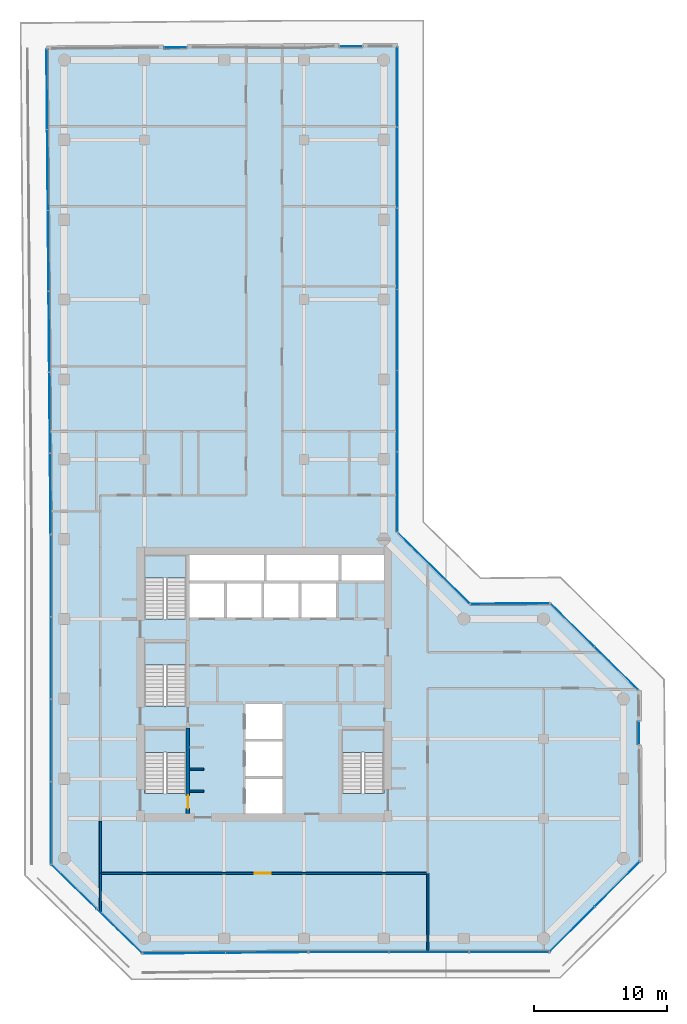
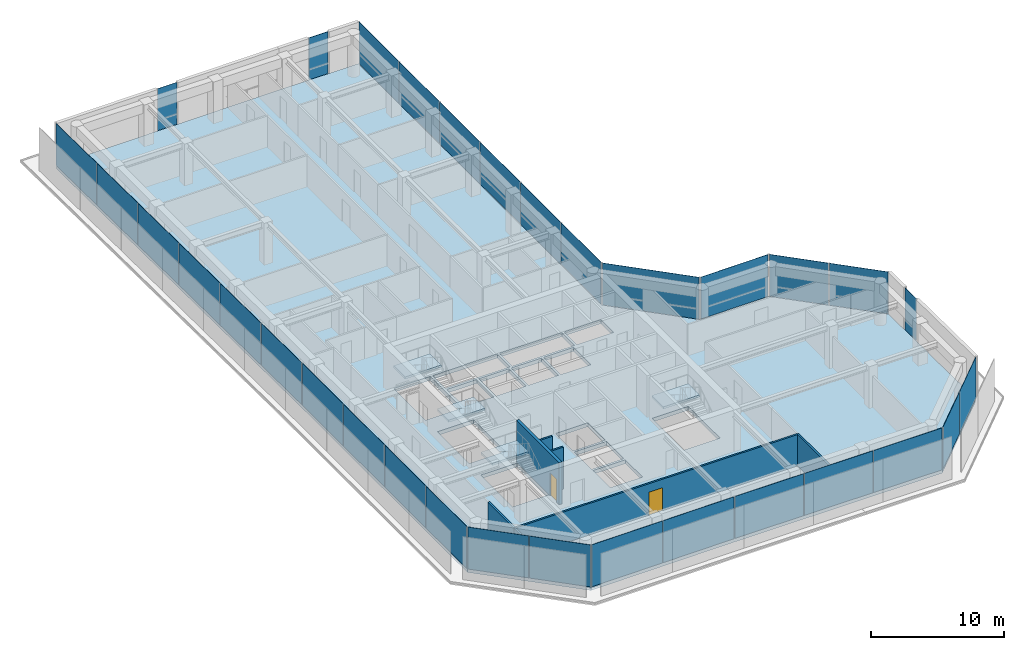
# One storey, part 14 of 19: 32 plates, 7 walls, 5 slabs, 2 doors, 2 openings, 17 elements without a shape of their own.
"""IFC4 building model written with IfcOpenShell, lengths in metres."""

from ifc_helpers import new_model, si_unit, direction, frame, frame_2d, origin, origin_2d, place, context, subcontext, project, spatial, polyline, rectangle, outline, extrude, material, layer, layer_set, type_object, element, fill, aggregate, save


model = new_model("IFC4")

# Units and contexts
model_context = context("Model", 3, precision=1e-05, world=origin(), true_north=direction((0.0, 1.0)))
body_context = subcontext(model_context, "Body", "Model", "MODEL_VIEW")
ifc_project = project(units=[si_unit("LENGTHUNIT", "METRE"), si_unit("AREAUNIT", "SQUARE_METRE"), si_unit("VOLUMEUNIT", "CUBIC_METRE"), si_unit("PLANEANGLEUNIT", "RADIAN"), si_unit("MASSUNIT", "GRAM", prefix="KILO")], contexts=[model_context])

# Site, building, storey
site_placement = place(None, origin())
site = spatial("IfcSite", under=ifc_project, at=site_placement, CompositionType="ELEMENT")
building_placement = place(site_placement, origin())
building = spatial("IfcBuilding", under=site, at=building_placement, Name="Welwitschia Terrace Campus", CompositionType="ELEMENT")
storey_placement = place(building_placement, frame((0.0, 0.0, 171.800048828125)))
storey = spatial("IfcBuildingStorey", under=building, at=storey_placement, Name="L38", CompositionType="ELEMENT", Elevation=171.800048828125)

# Curtain wall, plates
ifc_material_1 = material(Name="Bronze anodised aluminium", Category="aluminium")
ifc_layer_1 = layer(ifc_material_1, 0.1201171875)
ifc_layer_set_1 = layer_set([ifc_layer_1], Name="Bronze anodised aluminium")
curtain_wall_type = type_object("IfcCurtainWallType", Name="Curtain wall CW2 tower 6000", PredefinedType="NOTDEFINED", material=ifc_layer_set_1)
curtain_wall_1_placement = place(storey_placement, origin())
curtain_wall_1 = element("IfcCurtainWall", 1, at=curtain_wall_1_placement, inside=storey, type_object=curtain_wall_type, Name="CW L38.0.0", PredefinedType="NOTDEFINED")
ifc_material_2 = material(Name="Tinted bronze-grey glass", Category="glass")
ifc_layer_2 = layer(ifc_material_2, 0.028076171875)
ifc_layer_set_2 = layer_set([ifc_layer_2], Name="Tinted bronze-grey glass")
plate_type = type_object("IfcPlateType", Name="Glass panel 28 tinted", PredefinedType="CURTAIN_PANEL", material=ifc_layer_set_2)
plate_1_placement = place(storey_placement, frame((-1.32177734375, 59.804443359375, 0.0), z_axis=(0.0, 0.0, 1.0), x_axis=(0.008726535498, -0.999961923064, 0.0)))
plate_1 = element("IfcPlate", 2, at=plate_1_placement, type_object=plate_type, Name="Panel L38.0.0.0", PredefinedType="CURTAIN_PANEL", context=body_context, shape_type="SweptSolid", body=[
    extrude(rectangle(XDim=5.992919921875, YDim=0.028076171875, at=origin_2d()), origin(), (0.0, 0.0, 1.0), 3.85009765625),
])
plate_2_placement = place(storey_placement, frame((-1.268798828125, 53.73681640625, 0.0), z_axis=(0.0, 0.0, 1.0), x_axis=(0.008726535498, -0.999961923064, 0.0)))
plate_2 = element("IfcPlate", 3, at=plate_2_placement, type_object=plate_type, Name="Panel L38.0.0.1", PredefinedType="CURTAIN_PANEL", context=body_context, shape_type="SweptSolid", body=[
    extrude(rectangle(XDim=6.022705078125, YDim=0.028076171875, at=origin_2d()), origin(), (0.0, 0.0, 1.0), 3.85009765625),
])
plate_3_placement = place(storey_placement, frame((-1.2158203125, 47.654296875, 0.0), z_axis=(0.0, 0.0, 1.0), x_axis=(0.008726535498, -0.999961923064, 0.0)))
plate_3 = element("IfcPlate", 4, at=plate_3_placement, type_object=plate_type, Name="Panel L38.0.0.2", PredefinedType="CURTAIN_PANEL", context=body_context, shape_type="SweptSolid", body=[
    extrude(rectangle(XDim=6.022705078125, YDim=0.028076171875, at=origin_2d()), origin(), (0.0, 0.0, 1.0), 3.85009765625),
])
plate_4_placement = place(storey_placement, frame((-1.16259765625, 41.57177734375, 0.0), z_axis=(0.0, 0.0, 1.0), x_axis=(0.008726535498, -0.999961923064, 0.0)))
plate_4 = element("IfcPlate", 5, at=plate_4_placement, type_object=plate_type, Name="Panel L38.0.0.3", PredefinedType="CURTAIN_PANEL", context=body_context, shape_type="SweptSolid", body=[
    extrude(rectangle(XDim=6.022705078125, YDim=0.028076171875, at=origin_2d()), origin(), (0.0, 0.0, 1.0), 3.85009765625),
])
plate_5_placement = place(storey_placement, frame((-1.109619140625, 35.489013671875, 0.0), z_axis=(0.0, 0.0, 1.0), x_axis=(0.008726535498, -0.999961923064, 0.0)))
plate_5 = element("IfcPlate", 6, at=plate_5_placement, type_object=plate_type, Name="Panel L38.0.0.4", PredefinedType="CURTAIN_PANEL", context=body_context, shape_type="SweptSolid", body=[
    extrude(rectangle(XDim=6.022705078125, YDim=0.028076171875, at=origin_2d()), origin(), (0.0, 0.0, 1.0), 3.85009765625),
])
plate_6_placement = place(storey_placement, frame((-1.056640625, 29.421630859375, 0.0), z_axis=(0.0, 0.0, 1.0), x_axis=(0.008726535498, -0.999961923064, 0.0)))
plate_6 = element("IfcPlate", 7, at=plate_6_placement, type_object=plate_type, Name="Panel L38.0.0.5", PredefinedType="CURTAIN_PANEL", context=body_context, shape_type="SweptSolid", body=[
    extrude(rectangle(XDim=5.992919921875, YDim=0.028076171875, at=origin_2d()), origin(), (0.0, 0.0, 1.0), 3.85009765625),
])
aggregate(curtain_wall_1, [plate_1, plate_2, plate_3, plate_4, plate_5, plate_6])

curtain_wall_2_placement = place(storey_placement, origin())
curtain_wall_2 = element("IfcCurtainWall", 8, at=curtain_wall_2_placement, inside=storey, type_object=curtain_wall_type, Name="CW L38.1.0", PredefinedType="NOTDEFINED")
plate_7_placement = place(storey_placement, frame((-1.030029296875, 23.251220703125, 0.0), z_axis=(0.0, 0.0, 1.0), x_axis=(0.0, -1.0, 0.0)))
plate_7 = element("IfcPlate", 9, at=plate_7_placement, type_object=plate_type, Name="Panel L38.1.0.0", PredefinedType="CURTAIN_PANEL", context=body_context, shape_type="SweptSolid", body=[
    extrude(rectangle(XDim=6.10791015625, YDim=0.028076171875, at=origin_2d()), origin(), (0.0, 0.0, 1.0), 3.85009765625),
])
plate_8_placement = place(storey_placement, frame((-1.030029296875, 17.068115234375, 0.0), z_axis=(0.0, 0.0, 1.0), x_axis=(0.0, -1.0, 0.0)))
plate_8 = element("IfcPlate", 10, at=plate_8_placement, type_object=plate_type, Name="Panel L38.1.0.1", PredefinedType="CURTAIN_PANEL", context=body_context, shape_type="SweptSolid", body=[
    extrude(rectangle(XDim=6.137939453125, YDim=0.028076171875, at=origin_2d()), origin(), (0.0, 0.0, 1.0), 3.85009765625),
])
plate_9_placement = place(storey_placement, frame((-1.030029296875, 10.8701171875, 0.0), z_axis=(0.0, 0.0, 1.0), x_axis=(0.0, -1.0, 0.0)))
plate_9 = element("IfcPlate", 11, at=plate_9_placement, type_object=plate_type, Name="Panel L38.1.0.2", PredefinedType="CURTAIN_PANEL", context=body_context, shape_type="SweptSolid", body=[
    extrude(rectangle(XDim=6.137939453125, YDim=0.028076171875, at=origin_2d()), origin(), (0.0, 0.0, 1.0), 3.85009765625),
])
plate_10_placement = place(storey_placement, frame((-1.030029296875, 4.687255859375, 0.0), z_axis=(0.0, 0.0, 1.0), x_axis=(0.0, -1.0, 0.0)))
plate_10 = element("IfcPlate", 12, at=plate_10_placement, type_object=plate_type, Name="Panel L38.1.0.3", PredefinedType="CURTAIN_PANEL", context=body_context, shape_type="SweptSolid", body=[
    extrude(rectangle(XDim=6.10791015625, YDim=0.028076171875, at=origin_2d()), origin(), (0.0, 0.0, 1.0), 3.85009765625),
])
aggregate(curtain_wall_2, [plate_7, plate_8, plate_9, plate_10])

curtain_wall_3_placement = place(storey_placement, origin())
curtain_wall_3 = element("IfcCurtainWall", 13, at=curtain_wall_3_placement, inside=storey, type_object=curtain_wall_type, Name="CW L38.2.0", PredefinedType="NOTDEFINED")
plate_11_placement = place(storey_placement, frame((0.700439453125, -0.115478515625, 0.0), z_axis=(0.0, 0.0, 1.0), x_axis=(0.715708164963, -0.698399472083, 0.0)))
plate_11 = element("IfcPlate", 14, at=plate_11_placement, type_object=plate_type, Name="Panel L38.2.0.0", PredefinedType="CURTAIN_PANEL", context=body_context, shape_type="SweptSolid", body=[
    extrude(rectangle(XDim=4.715576171875, YDim=0.028076171875, at=origin_2d()), origin(), (0.0, 0.0, 1.0), 3.85009765625),
])
plate_12_placement = place(storey_placement, frame((4.1181640625, -3.45068359375, 0.0), z_axis=(0.0, 0.0, 1.0), x_axis=(0.715708164963, -0.698399472083, 0.0)))
plate_12 = element("IfcPlate", 15, at=plate_12_placement, type_object=plate_type, Name="Panel L38.2.0.1", PredefinedType="CURTAIN_PANEL", context=body_context, shape_type="SweptSolid", body=[
    extrude(rectangle(XDim=4.715576171875, YDim=0.028076171875, at=origin_2d()), origin(), (0.0, 0.0, 1.0), 3.85009765625),
])
aggregate(curtain_wall_3, [plate_11, plate_12])

curtain_wall_4_placement = place(storey_placement, origin())
curtain_wall_4 = element("IfcCurtainWall", 16, at=curtain_wall_4_placement, inside=storey, type_object=curtain_wall_type, Name="CW L38.3.0", PredefinedType="NOTDEFINED")
plate_13_placement = place(storey_placement, frame((8.9892578125, -5.11181640625, 0.0), z_axis=(0.0, 0.0, 1.0), x_axis=(0.999961923064, 0.008726535498, 0.0)))
plate_13 = element("IfcPlate", 17, at=plate_13_placement, type_object=plate_type, Name="Panel L38.3.0.0", PredefinedType="CURTAIN_PANEL", context=body_context, shape_type="SweptSolid", body=[
    extrude(rectangle(XDim=6.16162109375, YDim=0.028076171875, at=origin_2d()), origin(), (0.0, 0.0, 1.0), 3.85009765625),
])
plate_14_placement = place(storey_placement, frame((15.210693359375, -5.057373046875, 0.0), z_axis=(0.0, 0.0, 1.0), x_axis=(0.999961923064, 0.008726535498, 0.0)))
plate_14 = element("IfcPlate", 18, at=plate_14_placement, type_object=plate_type, Name="Panel L38.3.0.1", PredefinedType="CURTAIN_PANEL", context=body_context, shape_type="SweptSolid", body=[
    extrude(rectangle(XDim=6.16162109375, YDim=0.028076171875, at=origin_2d()), origin(), (0.0, 0.0, 1.0), 3.85009765625),
])
aggregate(curtain_wall_4, [plate_13, plate_14])

curtain_wall_5_placement = place(storey_placement, origin())
curtain_wall_5 = element("IfcCurtainWall", 19, at=curtain_wall_5_placement, inside=storey, type_object=curtain_wall_type, Name="CW L38.4.0", PredefinedType="NOTDEFINED")
plate_15_placement = place(storey_placement, frame((21.37890625, -5.030029296875, 0.0), z_axis=(0.0, 0.0, 1.0), x_axis=(1.0, 0.0, 0.0)))
plate_15 = element("IfcPlate", 20, at=plate_15_placement, type_object=plate_type, Name="Panel L38.4.0.0", PredefinedType="CURTAIN_PANEL", context=body_context, shape_type="SweptSolid", body=[
    extrude(rectangle(XDim=5.93505859375, YDim=0.028076171875, at=origin_2d()), origin(), (0.0, 0.0, 1.0), 3.85009765625),
])
plate_16_placement = place(storey_placement, frame((27.38916015625, -5.030029296875, 0.0), z_axis=(0.0, 0.0, 1.0), x_axis=(1.0, 0.0, 0.0)))
plate_16 = element("IfcPlate", 21, at=plate_16_placement, type_object=plate_type, Name="Panel L38.4.0.1", PredefinedType="CURTAIN_PANEL", context=body_context, shape_type="SweptSolid", body=[
    extrude(rectangle(XDim=5.965087890625, YDim=0.028076171875, at=origin_2d()), origin(), (0.0, 0.0, 1.0), 3.85009765625),
])
plate_17_placement = place(storey_placement, frame((33.399169921875, -5.030029296875, 0.0), z_axis=(0.0, 0.0, 1.0), x_axis=(1.0, 0.0, 0.0)))
plate_17 = element("IfcPlate", 22, at=plate_17_placement, type_object=plate_type, Name="Panel L38.4.0.2", PredefinedType="CURTAIN_PANEL", context=body_context, shape_type="SweptSolid", body=[
    extrude(rectangle(XDim=5.93505859375, YDim=0.028076171875, at=origin_2d()), origin(), (0.0, 0.0, 1.0), 3.85009765625),
])
aggregate(curtain_wall_5, [plate_15, plate_16, plate_17])

curtain_wall_6_placement = place(storey_placement, origin())
curtain_wall_6 = element("IfcCurtainWall", 23, at=curtain_wall_6_placement, inside=storey, type_object=curtain_wall_type, Name="CW L38.5.0", PredefinedType="NOTDEFINED")
plate_18_placement = place(storey_placement, frame((38.14208984375, -3.314208984375, 0.0), z_axis=(0.0, 0.0, 1.0), x_axis=(0.707043677573, 0.707169879169, 0.0)))
plate_18 = element("IfcPlate", 24, at=plate_18_placement, type_object=plate_type, Name="Panel L38.5.0.0", PredefinedType="CURTAIN_PANEL", context=body_context, shape_type="SweptSolid", body=[
    extrude(rectangle(XDim=4.732421875, YDim=0.028076171875, at=origin_2d()), origin(), (0.0, 0.0, 1.0), 3.85009765625),
])
plate_19_placement = place(storey_placement, frame((41.53076171875, 0.074951171875, 0.0), z_axis=(0.0, 0.0, 1.0), x_axis=(0.707043677573, 0.707169879169, 0.0)))
plate_19 = element("IfcPlate", 25, at=plate_19_placement, type_object=plate_type, Name="Panel L38.5.0.1", PredefinedType="CURTAIN_PANEL", context=body_context, shape_type="SweptSolid", body=[
    extrude(rectangle(XDim=4.732421875, YDim=0.028076171875, at=origin_2d()), origin(), (0.0, 0.0, 1.0), 3.85009765625),
])
aggregate(curtain_wall_6, [plate_18, plate_19])

# Curtain wall, plate
curtain_wall_7_placement = place(storey_placement, origin())
curtain_wall_7 = element("IfcCurtainWall", 26, at=curtain_wall_7_placement, inside=storey, type_object=curtain_wall_type, Name="CW L38.6.S0", PredefinedType="NOTDEFINED")
plate_20_placement = place(storey_placement, frame((43.162109375, 11.430419921875, 0.0), z_axis=(0.0, 0.0, 1.0), x_axis=(-0.008726535498, 0.999961923064, 0.0)))
plate_20 = element("IfcPlate", 27, at=plate_20_placement, type_object=plate_type, Name="Panel L38.6.S0.0", PredefinedType="CURTAIN_PANEL", context=body_context, shape_type="SweptSolid", body=[
    extrude(rectangle(XDim=1.679931640625, YDim=0.028076171875, at=origin_2d()), origin(), (0.0, 0.0, 1.0), 3.85009765625),
])
aggregate(curtain_wall_7, [plate_20])

# Curtain wall, plates
curtain_wall_8_placement = place(storey_placement, origin())
curtain_wall_8 = element("IfcCurtainWall", 28, at=curtain_wall_8_placement, inside=storey, type_object=curtain_wall_type, Name="CW L38.7.0", PredefinedType="NOTDEFINED")
plate_21_placement = place(storey_placement, frame((41.4580078125, 16.29052734375, 0.0), z_axis=(0.0, 0.0, 1.0), x_axis=(-0.713250449154, 0.7009092643, 0.0)))
plate_21 = element("IfcPlate", 29, at=plate_21_placement, type_object=plate_type, Name="Panel L38.7.0.0", PredefinedType="CURTAIN_PANEL", context=body_context, shape_type="SweptSolid", body=[
    extrude(rectangle(XDim=4.579345703125, YDim=0.028076171875, at=origin_2d()), origin(), (0.0, 0.0, 1.0), 3.85009765625),
])
plate_22_placement = place(storey_placement, frame((38.149169921875, 19.542236328125, 0.0), z_axis=(0.0, 0.0, 1.0), x_axis=(-0.713250449154, 0.7009092643, 0.0)))
plate_22 = element("IfcPlate", 30, at=plate_22_placement, type_object=plate_type, Name="Panel L38.7.0.1", PredefinedType="CURTAIN_PANEL", context=body_context, shape_type="SweptSolid", body=[
    extrude(rectangle(XDim=4.579345703125, YDim=0.028076171875, at=origin_2d()), origin(), (0.0, 0.0, 1.0), 3.85009765625),
])
aggregate(curtain_wall_8, [plate_21, plate_22])

# Curtain wall, plate
curtain_wall_9_placement = place(storey_placement, origin())
curtain_wall_9 = element("IfcCurtainWall", 31, at=curtain_wall_9_placement, inside=storey, type_object=curtain_wall_type, Name="CW L38.8.0", PredefinedType="NOTDEFINED")
plate_23_placement = place(storey_placement, frame((33.473388671875, 21.162841796875, 0.0), z_axis=(0.0, 0.0, 1.0), x_axis=(-0.999961923064, -0.008726535498, 0.0)))
plate_23 = element("IfcPlate", 32, at=plate_23_placement, type_object=plate_type, Name="Panel L38.8.0.0", PredefinedType="CURTAIN_PANEL", context=body_context, shape_type="SweptSolid", body=[
    extrude(rectangle(XDim=5.8798828125, YDim=0.028076171875, at=origin_2d()), origin(), (0.0, 0.0, 1.0), 3.85009765625),
])
aggregate(curtain_wall_9, [plate_23])

curtain_wall_10_placement = place(storey_placement, origin())
curtain_wall_10 = element("IfcCurtainWall", 33, at=curtain_wall_10_placement, inside=storey, type_object=curtain_wall_type, Name="CW L38.9.0", PredefinedType="NOTDEFINED")
plate_24_placement = place(storey_placement, frame((27.751708984375, 23.8115234375, 0.0), z_axis=(0.0, 0.0, 1.0), x_axis=(-0.713250449154, 0.7009092643, 0.0)))
plate_24 = element("IfcPlate", 34, at=plate_24_placement, type_object=plate_type, Name="Panel L38.9.0.0", PredefinedType="CURTAIN_PANEL", context=body_context, shape_type="SweptSolid", body=[
    extrude(rectangle(XDim=7.511962890625, YDim=0.028076171875, at=origin_2d()), origin(), (0.0, 0.0, 1.0), 3.85009765625),
])
aggregate(curtain_wall_10, [plate_24])

# Curtain wall, plates
curtain_wall_11_placement = place(storey_placement, origin())
curtain_wall_11 = element("IfcCurtainWall", 35, at=curtain_wall_11_placement, inside=storey, type_object=curtain_wall_type, Name="CW L38.10.0", PredefinedType="NOTDEFINED")
plate_25_placement = place(storey_placement, frame((25.030029296875, 29.54638671875, 0.0), z_axis=(0.0, 0.0, 1.0), x_axis=(0.0, 1.0, 0.0)))
plate_25 = element("IfcPlate", 36, at=plate_25_placement, type_object=plate_type, Name="Panel L38.10.0.0", PredefinedType="CURTAIN_PANEL", context=body_context, shape_type="SweptSolid", body=[
    extrude(rectangle(XDim=6.000732421875, YDim=0.028076171875, at=origin_2d()), origin(), (0.0, 0.0, 1.0), 3.85009765625),
])
plate_26_placement = place(storey_placement, frame((25.030029296875, 35.6220703125, 0.0), z_axis=(0.0, 0.0, 1.0), x_axis=(0.0, 1.0, 0.0)))
plate_26 = element("IfcPlate", 37, at=plate_26_placement, type_object=plate_type, Name="Panel L38.10.0.1", PredefinedType="CURTAIN_PANEL", context=body_context, shape_type="SweptSolid", body=[
    extrude(rectangle(XDim=6.03076171875, YDim=0.028076171875, at=origin_2d()), origin(), (0.0, 0.0, 1.0), 3.85009765625),
])
plate_27_placement = place(storey_placement, frame((25.030029296875, 41.712646484375, 0.0), z_axis=(0.0, 0.0, 1.0), x_axis=(0.0, 1.0, 0.0)))
plate_27 = element("IfcPlate", 38, at=plate_27_placement, type_object=plate_type, Name="Panel L38.10.0.2", PredefinedType="CURTAIN_PANEL", context=body_context, shape_type="SweptSolid", body=[
    extrude(rectangle(XDim=6.03076171875, YDim=0.028076171875, at=origin_2d()), origin(), (0.0, 0.0, 1.0), 3.85009765625),
])
plate_28_placement = place(storey_placement, frame((25.030029296875, 47.803466796875, 0.0), z_axis=(0.0, 0.0, 1.0), x_axis=(0.0, 1.0, 0.0)))
plate_28 = element("IfcPlate", 39, at=plate_28_placement, type_object=plate_type, Name="Panel L38.10.0.3", PredefinedType="CURTAIN_PANEL", context=body_context, shape_type="SweptSolid", body=[
    extrude(rectangle(XDim=6.03076171875, YDim=0.028076171875, at=origin_2d()), origin(), (0.0, 0.0, 1.0), 3.85009765625),
])
plate_29_placement = place(storey_placement, frame((25.030029296875, 53.89404296875, 0.0), z_axis=(0.0, 0.0, 1.0), x_axis=(0.0, 1.0, 0.0)))
plate_29 = element("IfcPlate", 40, at=plate_29_placement, type_object=plate_type, Name="Panel L38.10.0.4", PredefinedType="CURTAIN_PANEL", context=body_context, shape_type="SweptSolid", body=[
    extrude(rectangle(XDim=6.03076171875, YDim=0.028076171875, at=origin_2d()), origin(), (0.0, 0.0, 1.0), 3.85009765625),
])
plate_30_placement = place(storey_placement, frame((25.030029296875, 59.9697265625, 0.0), z_axis=(0.0, 0.0, 1.0), x_axis=(0.0, 1.0, 0.0)))
plate_30 = element("IfcPlate", 41, at=plate_30_placement, type_object=plate_type, Name="Panel L38.10.0.5", PredefinedType="CURTAIN_PANEL", context=body_context, shape_type="SweptSolid", body=[
    extrude(rectangle(XDim=6.000732421875, YDim=0.028076171875, at=origin_2d()), origin(), (0.0, 0.0, 1.0), 3.85009765625),
])
aggregate(curtain_wall_11, [plate_25, plate_26, plate_27, plate_28, plate_29, plate_30])

# Curtain wall, plate
curtain_wall_12_placement = place(storey_placement, origin())
curtain_wall_12 = element("IfcCurtainWall", 42, at=curtain_wall_12_placement, inside=storey, type_object=curtain_wall_type, Name="CW L38.11.S0", PredefinedType="NOTDEFINED")
plate_31_placement = place(storey_placement, frame((21.542236328125, 63.030029296875, 0.0), z_axis=(0.0, 0.0, 1.0), x_axis=(-1.0, 0.0, 0.0)))
plate_31 = element("IfcPlate", 43, at=plate_31_placement, type_object=plate_type, Name="Panel L38.11.S0.0", PredefinedType="CURTAIN_PANEL", context=body_context, shape_type="SweptSolid", body=[
    extrude(rectangle(XDim=1.679931640625, YDim=0.028076171875, at=origin_2d()), origin(), (0.0, 0.0, 1.0), 3.85009765625),
])
aggregate(curtain_wall_12, [plate_31])

curtain_wall_13_placement = place(storey_placement, origin())
curtain_wall_13 = element("IfcCurtainWall", 44, at=curtain_wall_13_placement, inside=storey, type_object=curtain_wall_type, Name="CW L38.12.S0", PredefinedType="NOTDEFINED")
plate_32_placement = place(storey_placement, frame((8.35302734375, 62.9453125, 0.0), z_axis=(0.0, 0.0, 1.0), x_axis=(-0.999961923064, -0.008726535498, 0.0)))
plate_32 = element("IfcPlate", 45, at=plate_32_placement, type_object=plate_type, Name="Panel L38.12.S0.0", PredefinedType="CURTAIN_PANEL", context=body_context, shape_type="SweptSolid", body=[
    extrude(rectangle(XDim=1.679931640625, YDim=0.028076171875, at=origin_2d()), origin(), (0.0, 0.0, 1.0), 3.85009765625),
])
aggregate(curtain_wall_13, [plate_32])

# Stair, slab
ifc_material_3 = material(Name="Concrete C40/50", Category="concrete")
stair_type = type_object("IfcStairType", Name="Stair 24R 175 W1500", PredefinedType="HALF_TURN_STAIR", material=ifc_material_3)
stair_1_placement = place(storey_placement, origin())
stair_1 = element("IfcStair", 46, at=stair_1_placement, inside=storey, type_object=stair_type, Name="L38 Exit stair S1", PredefinedType="HALF_TURN_STAIR")
ifc_material_4 = material(Name="Concrete C40/50", Category="concrete")
ifc_layer_3 = layer(ifc_material_4, 0.199951171875)
ifc_layer_set_3 = layer_set([ifc_layer_3], Name="Concrete C40/50")
slab_type_1 = type_object("IfcSlabType", Name="Stair landing RC", PredefinedType="LANDING", material=ifc_layer_set_3)
slab_1_placement = place(storey_placement, frame((0.0, 0.0, 1.89990234375)))
slab_1 = element("IfcSlab", 47, at=slab_1_placement, type_object=slab_type_1, Name="S1 landing 1", PredefinedType="LANDING", context=body_context, shape_type="SweptSolid", body=[
    extrude(outline(polyline([(9.14990234375, 9.97998046875), (9.14990234375, 11.699951171875), (6.0, 11.699951171875), (6.0, 9.97998046875), (9.14990234375, 9.97998046875)])), origin(), (0.0, 0.0, 1.0), 0.199951171875),
])
aggregate(stair_1, [slab_1])

stair_2_placement = place(storey_placement, origin())
stair_2 = element("IfcStair", 48, at=stair_2_placement, inside=storey, type_object=stair_type, Name="L38 Exit stair S3", PredefinedType="HALF_TURN_STAIR")
slab_2_placement = place(storey_placement, frame((0.0, 0.0, 1.89990234375)))
slab_2 = element("IfcSlab", 49, at=slab_2_placement, type_object=slab_type_1, Name="S3 landing 1", PredefinedType="LANDING", context=body_context, shape_type="SweptSolid", body=[
    extrude(outline(polyline([(9.14990234375, 16.530029296875), (9.14990234375, 18.25), (6.0, 18.25), (6.0, 16.530029296875), (9.14990234375, 16.530029296875)])), origin(), (0.0, 0.0, 1.0), 0.199951171875),
])
aggregate(stair_2, [slab_2])

stair_3_placement = place(storey_placement, origin())
stair_3 = element("IfcStair", 50, at=stair_3_placement, inside=storey, type_object=stair_type, Name="L38 Exit stair S4", PredefinedType="HALF_TURN_STAIR")
slab_3_placement = place(storey_placement, frame((0.0, 0.0, 1.89990234375)))
slab_3 = element("IfcSlab", 51, at=slab_3_placement, type_object=slab_type_1, Name="S4 landing 1", PredefinedType="LANDING", context=body_context, shape_type="SweptSolid", body=[
    extrude(outline(polyline([(9.14990234375, 23.080078125), (9.14990234375, 24.800048828125), (6.0, 24.800048828125), (6.0, 23.080078125), (9.14990234375, 23.080078125)])), origin(), (0.0, 0.0, 1.0), 0.199951171875),
])
aggregate(stair_3, [slab_3])

stair_4_placement = place(storey_placement, origin())
stair_4 = element("IfcStair", 52, at=stair_4_placement, inside=storey, type_object=stair_type, Name="L38 Exit stair S2", PredefinedType="HALF_TURN_STAIR")
slab_4_placement = place(storey_placement, frame((0.0, 0.0, 1.89990234375)))
slab_4 = element("IfcSlab", 53, at=slab_4_placement, type_object=slab_type_1, Name="S2 landing 1", PredefinedType="LANDING", context=body_context, shape_type="SweptSolid", body=[
    extrude(outline(polyline([(24.0, 9.97998046875), (24.0, 11.699951171875), (20.85009765625, 11.699951171875), (20.85009765625, 9.97998046875), (24.0, 9.97998046875)])), origin(), (0.0, 0.0, 1.0), 0.199951171875),
])
aggregate(stair_4, [slab_4])

# Slab
ifc_material_5 = material(Name="Concrete C40/50", Category="concrete")
ifc_layer_4 = layer(ifc_material_5, 0.35009765625)
ifc_layer_set_4 = layer_set([ifc_layer_4], Name="Concrete C40/50")
slab_type_2 = type_object("IfcSlabType", Name="Suspended floor slab 350", PredefinedType="FLOOR", material=ifc_layer_set_4)
slab_5_placement = place(storey_placement, frame((0.0, 0.0, -0.35009765625)))
element("IfcSlab", 54, at=slab_5_placement, inside=storey, type_object=slab_type_2, Name="Floor slab L38", PredefinedType="FLOOR", context=body_context, shape_type="SweptSolid", body=[
    extrude(outline(polyline([(18.0546875, 63.0), (25.0, 63.0), (25.0, 26.473388671875), (30.461181640625, 21.106689453125), (36.461181640625, 21.158935546875), (43.10400390625, 14.630859375), (43.216064453125, 1.802978515625), (36.414306640625, -5.0), (18.351318359375, -5.0), (5.860595703125, -5.10888671875), (-1.0, 1.585693359375), (-1.0, 26.365478515625), (-1.318115234375, 62.8310546875), (18.0546875, 63.0)]), holes=[polyline([(13.60009765625, 8.0), (13.60009765625, 5.39990234375), (16.39990234375, 5.39990234375), (16.39990234375, 8.0), (13.60009765625, 8.0)]), polyline([(9.14990234375, 11.699951171875), (6.0, 11.699951171875), (6.0, 6.902099609375), (9.14990234375, 6.902099609375), (9.14990234375, 11.699951171875)]), polyline([(9.14990234375, 18.25), (6.0, 18.25), (6.0, 13.451904296875), (9.14990234375, 13.451904296875), (9.14990234375, 18.25)]), polyline([(12.0, 22.699951171875), (9.39990234375, 22.699951171875), (9.39990234375, 20.10009765625), (12.0, 20.10009765625), (12.0, 22.699951171875)]), polyline([(14.800048828125, 22.699951171875), (12.199951171875, 22.699951171875), (12.199951171875, 20.10009765625), (14.800048828125, 20.10009765625), (14.800048828125, 22.699951171875)]), polyline([(9.14990234375, 24.800048828125), (6.0, 24.800048828125), (6.0, 20.001953125), (9.14990234375, 20.001953125), (9.14990234375, 24.800048828125)]), polyline([(15.0, 24.800048828125), (9.39990234375, 24.800048828125), (9.39990234375, 22.89990234375), (15.0, 22.89990234375), (15.0, 24.800048828125)]), polyline([(20.85009765625, 11.699951171875), (20.85009765625, 6.902099609375), (24.0, 6.902099609375), (24.0, 11.699951171875), (20.85009765625, 11.699951171875)]), polyline([(16.39990234375, 10.800048828125), (13.60009765625, 10.800048828125), (13.60009765625, 8.199951171875), (16.39990234375, 8.199951171875), (16.39990234375, 10.800048828125)]), polyline([(16.39990234375, 13.60009765625), (13.60009765625, 13.60009765625), (13.60009765625, 11.0), (16.39990234375, 11.0), (16.39990234375, 13.60009765625)]), polyline([(17.60009765625, 22.699951171875), (15.0, 22.699951171875), (15.0, 20.10009765625), (17.60009765625, 20.10009765625), (17.60009765625, 22.699951171875)]), polyline([(20.39990234375, 22.699951171875), (17.800048828125, 22.699951171875), (17.800048828125, 20.10009765625), (20.39990234375, 20.10009765625), (20.39990234375, 22.699951171875)]), polyline([(20.60009765625, 24.800048828125), (15.199951171875, 24.800048828125), (15.199951171875, 22.89990234375), (20.60009765625, 22.89990234375), (20.60009765625, 24.800048828125)]), polyline([(24.0, 24.800048828125), (20.800048828125, 24.800048828125), (20.800048828125, 22.89990234375), (24.0, 22.89990234375), (24.0, 24.800048828125)])]), origin(), (0.0, 0.0, 1.0), 0.35009765625),
])

# Walls
ifc_material_6 = material(Name="Concrete C50/60", Category="concrete")
ifc_layer_5 = layer(ifc_material_6, 0.14990234375)
ifc_layer_set_5 = layer_set([ifc_layer_5], Name="Concrete C50/60")
wall_type_1 = type_object("IfcWallType", Name="Core wall 150 Concrete C50/60", PredefinedType="SHEAR", material=ifc_layer_set_5)
for number, where, z_axis, x_axis, name in (
    (55, (9.39990234375, 7.074951171875, 0.0), (0.0, 0.0, 1.0), (1.0, 0.0, 0.0), "Core wall"),
    (56, (9.39990234375, 8.72509765625, 0.0), (0.0, 0.0, 1.0), (1.0, 0.0, 0.0), "Core wall"),
):
    element("IfcWall", number, at=place(storey_placement, frame(where, z_axis=z_axis, x_axis=x_axis)), inside=storey, type_object=wall_type_1, Name=name, PredefinedType="SHEAR", context=body_context, shape_type="SweptSolid", body=[
        extrude(rectangle(XDim=1.050048828125, YDim=0.14990234375, at=frame_2d((0.52490234375, 0.0))), origin(), (0.0, 0.0, 1.0), 3.849853515625),
    ])

# Wall, opening, door
ifc_material_7 = material(Name="Concrete C50/60", Category="concrete")
ifc_layer_6 = layer(ifc_material_7, 0.25)
ifc_layer_set_6 = layer_set([ifc_layer_6], Name="Concrete C50/60")
wall_type_2 = type_object("IfcWallType", Name="Core wall 250 Concrete C50/60", PredefinedType="SHEAR", material=ifc_layer_set_6)
wall_1_placement = place(storey_placement, frame((9.27490234375, 11.824951171875, 0.0), z_axis=(0.0, 0.0, 1.0), x_axis=(0.0, -1.0, 0.0)))
wall_1 = element("IfcWall", 57, at=wall_1_placement, inside=storey, type_object=wall_type_2, Name="Core wall", PredefinedType="SHEAR", context=body_context, shape_type="SweptSolid", body=[
    extrude(rectangle(XDim=6.425048828125, YDim=0.25, at=frame_2d((3.21240234375, 0.0))), origin(), (0.0, 0.0, 1.0), 3.849853515625),
])
opening_1_placement = place(wall_1_placement, frame((5.074951171875, 0.0, 0.0)))
opening_1 = element("IfcOpeningElement", 58, at=opening_1_placement, cuts=wall_1, Name="Opening DS10", PredefinedType="OPENING", context=body_context, shape_type="SweptSolid", body=[
    extrude(rectangle(XDim=1.0, YDim=2.10009765625, at=frame_2d((0.5, 1.050048828125))), frame((0.0, 0.135009765625, 0.0), z_axis=(0.0, -1.0, 0.0), x_axis=(1.0, 0.0, 0.0)), (0.0, 0.0, 1.0), 0.27001953125),
])
ifc_material_8 = material(Name="Steel S275", Category="steel")
door_type_1 = type_object("IfcDoorType", Name="Core door DS10", OperationType="SINGLE_SWING_LEFT", PredefinedType="DOOR", material=ifc_material_8)
door_1_placement = place(opening_1_placement, origin())
door_1 = element("IfcDoor", 59, at=door_1_placement, inside=storey, type_object=door_type_1, Name="Door S1-FL", OperationType="SINGLE_SWING_RIGHT", OverallHeight=2.10009765625, OverallWidth=1.0, PredefinedType="DOOR", context=body_context, shape_type="SweptSolid", body=[
    extrude(rectangle(XDim=1.0, YDim=2.10009765625, at=frame_2d((0.5, 1.050048828125))), frame((0.0, 0.02490234375, 0.0), z_axis=(0.0, -1.0, 0.0), x_axis=(1.0, 0.0, 0.0)), (0.0, 0.0, 1.0), 0.050048828125),
])
fill(opening_1, door_1)

# Walls
ifc_material_9 = material(Name="Gypsum board on steel studs", Category="steel")
ifc_layer_7 = layer(ifc_material_9, 0.14990234375)
ifc_layer_set_7 = layer_set([ifc_layer_7], Name="Gypsum board on steel studs")
wall_type_3 = type_object("IfcWallType", Name="Corridor partition 150 EI 30", PredefinedType="PARTITIONING", material=ifc_layer_set_7)
wall_2_placement = place(storey_placement, frame((2.699951171875, -2.0, 0.0), z_axis=(0.0, 0.0, 1.0), x_axis=(0.0, 1.0, 0.0)))
element("IfcWall", 60, at=wall_2_placement, inside=storey, type_object=wall_type_3, Name="Partition", PredefinedType="PARTITIONING", context=body_context, shape_type="SweptSolid", body=[
    extrude(rectangle(XDim=2.89990234375, YDim=0.14990234375, at=frame_2d((1.449951171875, 0.0))), origin(), (0.0, 0.0, 1.0), 2.8798828125),
])
wall_3_placement = place(storey_placement, frame((2.699951171875, 0.89990234375, 0.0), z_axis=(0.0, 0.0, 1.0), x_axis=(0.0, 1.0, 0.0)))
element("IfcWall", 61, at=wall_3_placement, inside=storey, type_object=wall_type_3, Name="Partition", PredefinedType="PARTITIONING", context=body_context, shape_type="SweptSolid", body=[
    extrude(rectangle(XDim=3.900146484375, YDim=0.14990234375, at=frame_2d((1.9501953125, 0.0))), origin(), (0.0, 0.0, 1.0), 2.8798828125),
])
wall_4_placement = place(storey_placement, frame((27.300048828125, -4.97998046875, 0.0), z_axis=(0.0, 0.0, 1.0), x_axis=(0.0, 1.0, 0.0)))
element("IfcWall", 62, at=wall_4_placement, inside=storey, type_object=wall_type_3, Name="Partition", PredefinedType="PARTITIONING", context=body_context, shape_type="SweptSolid", body=[
    extrude(rectangle(XDim=5.8798828125, YDim=0.14990234375, at=frame_2d((2.93994140625, 0.0))), origin(), (0.0, 0.0, 1.0), 2.8798828125),
])

# Wall, opening, door
wall_5_placement = place(storey_placement, frame((27.300048828125, 0.89990234375, 0.0), z_axis=(0.0, 0.0, 1.0), x_axis=(-1.0, 0.0, 0.0)))
wall_5 = element("IfcWall", 63, at=wall_5_placement, inside=storey, type_object=wall_type_3, Name="Partition", PredefinedType="PARTITIONING", context=body_context, shape_type="SweptSolid", body=[
    extrude(rectangle(XDim=24.60009765625, YDim=0.14990234375, at=frame_2d((12.300048828125, 0.0))), origin(), (0.0, 0.0, 1.0), 2.8798828125),
])
opening_2_placement = place(wall_5_placement, frame((11.800048828125, 0.0, 0.0)))
opening_2 = element("IfcOpeningElement", 64, at=opening_2_placement, cuts=wall_5, Name="Opening DI12", PredefinedType="OPENING", context=body_context, shape_type="SweptSolid", body=[
    extrude(rectangle(XDim=1.199951171875, YDim=2.10009765625, at=frame_2d((0.60009765625, 1.050048828125))), frame((0.0, 0.0849609375, 0.0), z_axis=(0.0, -1.0, 0.0), x_axis=(1.0, 0.0, 0.0)), (0.0, 0.0, 1.0), 0.169921875),
])
ifc_material_10 = material(Name="Timber veneered door", Category="wood")
door_type_2 = type_object("IfcDoorType", Name="Interior door DI12", OperationType="NOTDEFINED", PredefinedType="DOOR", material=ifc_material_10)
door_2_placement = place(opening_2_placement, origin())
door_2 = element("IfcDoor", 65, at=door_2_placement, inside=storey, type_object=door_type_2, Name="Door L38 771", OperationType="SINGLE_SWING_RIGHT", OverallHeight=2.10009765625, OverallWidth=1.199951171875, PredefinedType="DOOR", context=body_context, shape_type="SweptSolid", body=[
    extrude(rectangle(XDim=1.199951171875, YDim=2.10009765625, at=frame_2d((0.60009765625, 1.050048828125))), frame((0.0, 0.02490234375, 0.0), z_axis=(0.0, -1.0, 0.0), x_axis=(1.0, 0.0, 0.0)), (0.0, 0.0, 1.0), 0.050048828125),
])
fill(opening_2, door_2)

save(model, "model.ifc")
